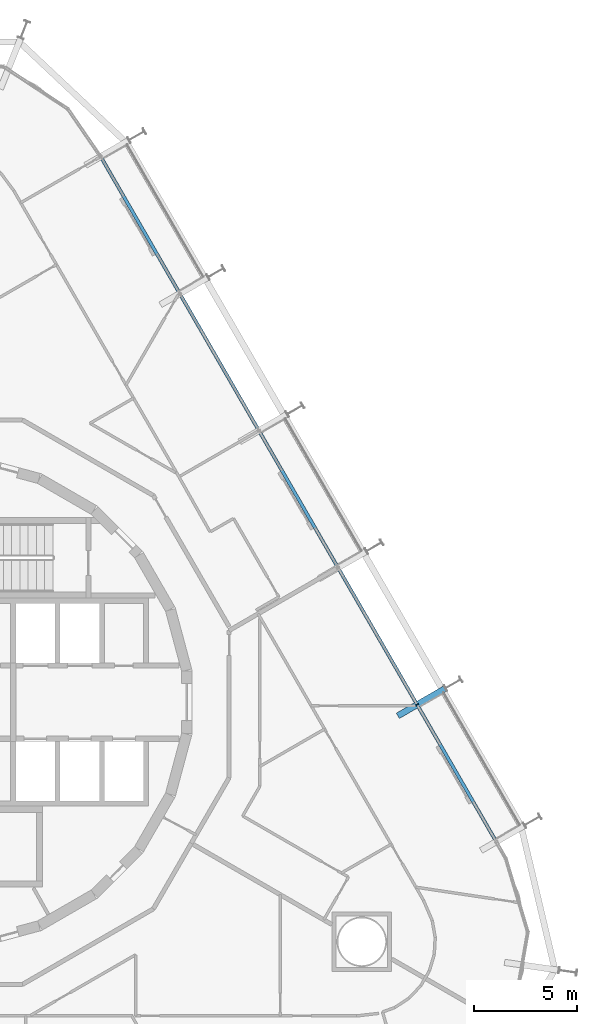
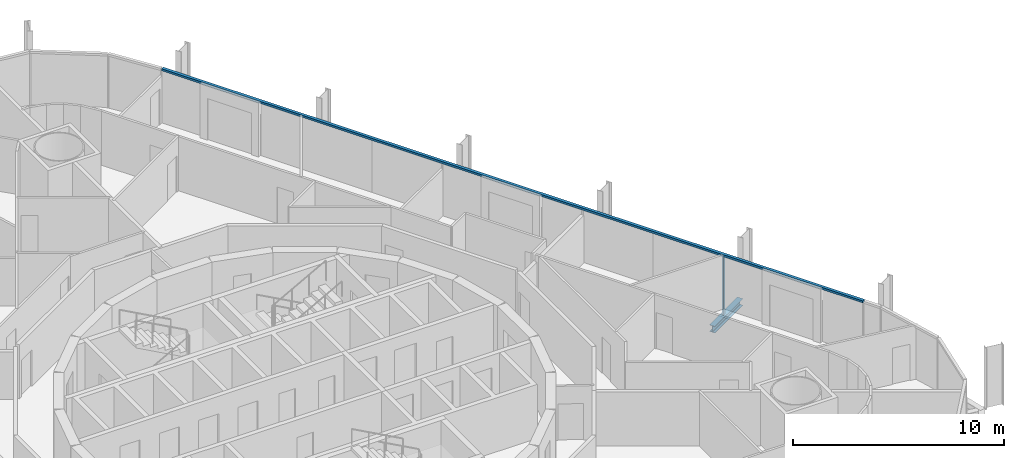
# One storey, part 7 of 20: 2 members, 1 beam, 1 element without a shape of its own.
"""IFC4 building model written with IfcOpenShell, lengths in metres."""

from ifc_helpers import new_model, si_unit, direction, frame, origin, origin_2d, place, context, subcontext, project, spatial, rectangle, i_section, extrude, material, layer, layer_set, material_profile, profile_set, type_object, element, aggregate, save


model = new_model("IFC4")

# Units and contexts
model_context = context("Model", 3, precision=1e-05, world=origin(), true_north=direction((0.0, 1.0)))
body_context = subcontext(model_context, "Body", "Model", "MODEL_VIEW")
ifc_project = project(units=[si_unit("LENGTHUNIT", "METRE"), si_unit("AREAUNIT", "SQUARE_METRE"), si_unit("VOLUMEUNIT", "CUBIC_METRE"), si_unit("PLANEANGLEUNIT", "RADIAN"), si_unit("MASSUNIT", "GRAM", prefix="KILO")], contexts=[model_context])

# Site, building, storey
site_placement = place(None, origin())
site = spatial("IfcSite", under=ifc_project, at=site_placement, CompositionType="ELEMENT")
building_placement = place(site_placement, origin())
building = spatial("IfcBuilding", under=site, at=building_placement, Name="Spindle Arch Residences", CompositionType="ELEMENT")
storey_placement = place(building_placement, frame((0.0, 0.0, 41.89990234375)))
storey = spatial("IfcBuildingStorey", under=building, at=storey_placement, Name="L08", CompositionType="ELEMENT", Elevation=41.89990234375)

# Curtain wall, members
ifc_material_1 = material(Name="Aluminium bronze unitised frame with tinted glass", Category="aluminium")
ifc_layer = layer(ifc_material_1, 0.159912109375)
ifc_layer_set = layer_set([ifc_layer], Name="CW-C typical residential unitised wall")
curtain_wall_type = type_object("IfcCurtainWallType", Name="CW-C typical residential unitised wall", PredefinedType="NOTDEFINED", material=ifc_layer_set)
curtain_wall_placement = place(storey_placement, origin())
curtain_wall = element("IfcCurtainWall", 1, at=curtain_wall_placement, inside=storey, type_object=curtain_wall_type, Name="CW-C L08 run 2", PredefinedType="NOTDEFINED")
ifc_material_2 = material(Name="Aluminium bronze anodised mullion", Category="aluminium")
ifc_material_profile_1 = material_profile(ifc_material_2, rectangle(XDim=0.159912109375, YDim=0.06005859375, at=origin_2d()), Name="MU 60x160")
ifc_profile_set_1 = profile_set([ifc_material_profile_1], Name="Aluminium bronze anodised mullion")
member_type_1 = type_object("IfcMemberType", Name="Bronze mullion 60x160", PredefinedType="MULLION", material=ifc_profile_set_1)
member_1_placement = place(storey_placement, frame((22.829345703125, -0.121826171875, -0.3798828125), z_axis=(0.0, 0.0, 1.0), x_axis=(-0.866025403784, -0.5, 0.0)))
member_1 = element("IfcMember", 2, at=member_1_placement, type_object=member_type_1, Name="CW-C mullion 06", PredefinedType="MULLION", context=body_context, shape_type="SweptSolid", body=[
    extrude(rectangle(XDim=0.159912109375, YDim=0.06005859375, at=origin_2d()), origin(), (0.0, 0.0, 1.0), 3.3798828125),
])
ifc_material_3 = material(Name="Aluminium bronze anodised transom", Category="aluminium")
ifc_material_profile_2 = material_profile(ifc_material_3, rectangle(XDim=0.159912109375, YDim=0.1201171875, at=origin_2d()), Name="TR 120x160")
ifc_profile_set_2 = profile_set([ifc_material_profile_2], Name="Aluminium bronze anodised transom")
member_type_2 = type_object("IfcMemberType", Name="Bronze transom 120x160", PredefinedType="USERDEFINED", material=ifc_profile_set_2)
member_2_placement = place(storey_placement, frame((26.654296875, -6.746826171875, 3.06005859375), z_axis=(-0.50000099666, 0.866024828362, 0.0), x_axis=(-0.866024828362, -0.50000099666, 0.0)))
member_2 = element("IfcMember", 3, at=member_2_placement, type_object=member_type_2, Name="CW-C transom 00", ObjectType="TRANSOM", PredefinedType="USERDEFINED", context=body_context, shape_type="SweptSolid", body=[
    extrude(rectangle(XDim=0.159912109375, YDim=0.1201171875, at=origin_2d()), origin(), (0.0, 0.0, 1.0), 38.34033203125),
])
aggregate(curtain_wall, [member_2, member_1])

# Beam
ifc_material_4 = material(Name="Steel S460ML, intumescent coating R 120", Category="steel")
ifc_material_profile_3 = material_profile(ifc_material_4, i_section(OverallWidth=0.300048828125, OverallDepth=0.389892578125, WebThickness=0.010986328125, FlangeThickness=0.01904296875, FilletRadius=0.027099609375, at=origin_2d()), Name="HEA 400")
ifc_profile_set_3 = profile_set([ifc_material_profile_3], Name="Steel S460ML, intumescent coating R 120")
beam_type = type_object("IfcBeamType", Name="Floor outrigger HEA 400", PredefinedType="BEAM", material=ifc_profile_set_3)
beam_placement = place(storey_placement, frame((24.18896484375, 0.6630859375, -0.574951171875), z_axis=(-0.866029095148, -0.499993606316, 0.0), x_axis=(0.499993606316, -0.866029095148, 0.0)))
element("IfcBeam", 4, at=beam_placement, inside=storey, type_object=beam_type, Name="Floor outrigger 7", PredefinedType="BEAM", context=body_context, shape_type="SweptSolid", body=[
    extrude(i_section(OverallWidth=0.300048828125, OverallDepth=0.389892578125, WebThickness=0.010986328125, FlangeThickness=0.01904296875, FilletRadius=0.027099609375, at=origin_2d()), origin(), (0.0, 0.0, 1.0), 2.64990234375),
])

save(model, "model.ifc")
